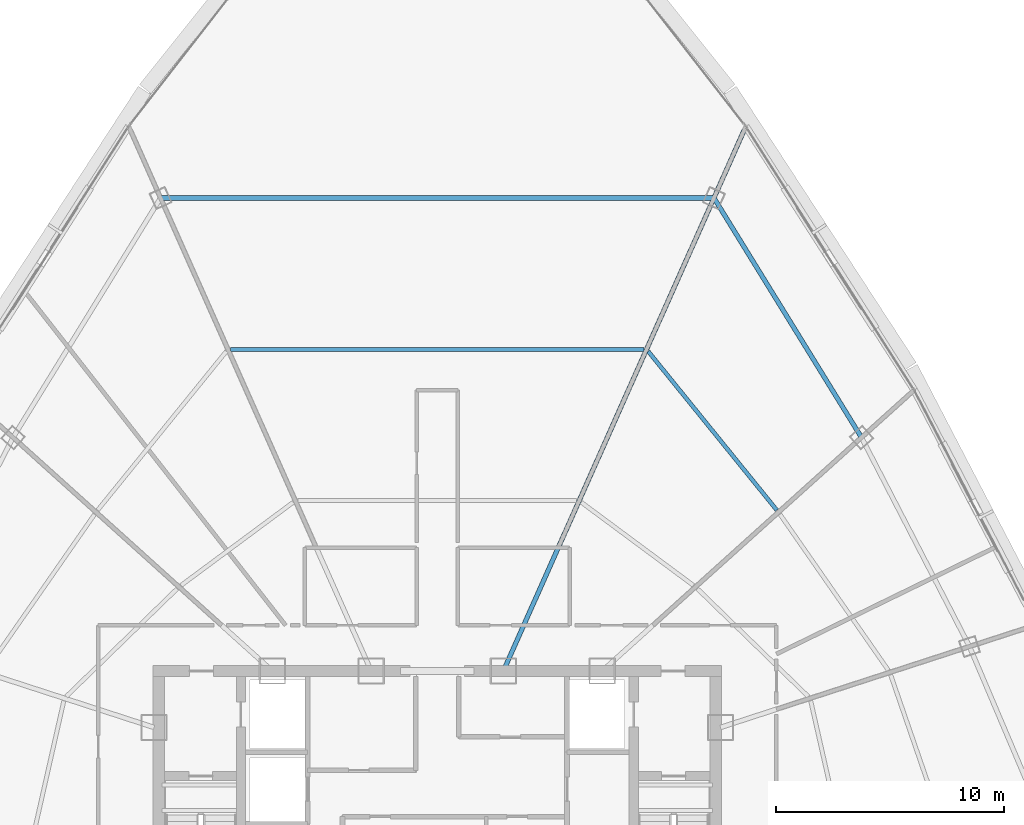
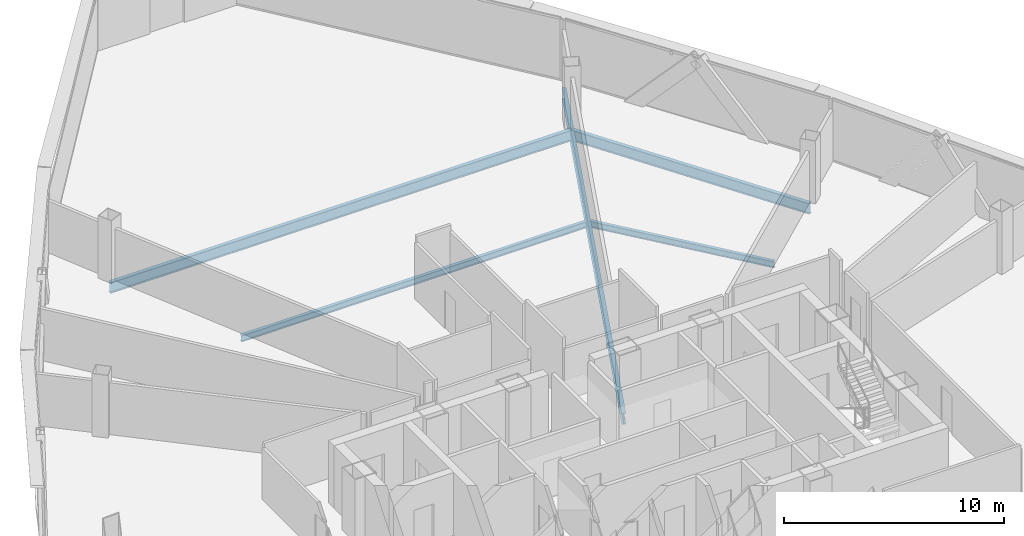
# One storey, part 22 of 37: 5 beams.
"""IFC4 building model written with IfcOpenShell, lengths in metres."""

from ifc_helpers import new_model, si_unit, direction, frame, origin, origin_2d, place, context, subcontext, project, spatial, i_section, extrude, source, transform, mapped, material, material_profile, profile_set, type_object, element, save


model = new_model("IFC4")

# Units and contexts
model_context = context("Model", 3, precision=1e-05, world=origin(), true_north=direction((0.0, 1.0)))
body_context = subcontext(model_context, "Body", "Model", "MODEL_VIEW")
ifc_project = project(units=[si_unit("LENGTHUNIT", "METRE"), si_unit("AREAUNIT", "SQUARE_METRE"), si_unit("VOLUMEUNIT", "CUBIC_METRE"), si_unit("PLANEANGLEUNIT", "RADIAN"), si_unit("MASSUNIT", "GRAM", prefix="KILO"), si_unit("THERMODYNAMICTEMPERATUREUNIT", "KELVIN"), si_unit("POWERUNIT", "WATT")], contexts=[model_context])

# Site, building, storey
site_placement = place(None, origin())
site = spatial("IfcSite", under=ifc_project, at=site_placement, CompositionType="ELEMENT")
building_placement = place(site_placement, origin())
building = spatial("IfcBuilding", under=site, at=building_placement, Name="Yunzhuo Pagoda Commons", CompositionType="ELEMENT")
storey_placement = place(building_placement, frame((0.0, 0.0, 277.56005859375)))
storey = spatial("IfcBuildingStorey", under=building, at=storey_placement, Name="L69", CompositionType="ELEMENT", Elevation=277.56005859375)

# Beams
ifc_material = material(Name="Structural steel Q355B", Category="steel")
ifc_material_profile_1 = material_profile(ifc_material, i_section(OverallWidth=0.199951171875, OverallDepth=0.60009765625, WebThickness=0.010986328125, FlangeThickness=0.01708984375, at=origin_2d()), Name="Structural steel Q355B")
ifc_profile_set_1 = profile_set([ifc_material_profile_1], Name="Structural steel Q355B")
beam_type_1 = type_object("IfcBeamType", Name="B-RG3 Beam HN 600x200x11x17", PredefinedType="BEAM", material=ifc_profile_set_1)
shared_shape_1 = source(origin(), body_context, "Body", "SweptSolid", [
    extrude(i_section(OverallWidth=0.199951171875, OverallDepth=0.60009765625, WebThickness=0.010986328125, FlangeThickness=0.01708984375, at=origin_2d()), origin(), (0.0, 0.0, 1.0), 25.947265625),
])
beam_1_placement = place(storey_placement, frame((61.44775390625, 63.904052734375, -0.56005859375), z_axis=(-0.406735516134, -0.913545959389, 0.0), x_axis=(0.913545959389, -0.406735516134, 0.0)))
element("IfcBeam", 1, at=beam_1_placement, inside=storey, type_object=beam_type_1, Name="L69 radial floor girder F2C4", PredefinedType="BEAM", context=body_context, shape_type="MappedRepresentation", body=[
    mapped(shared_shape_1, transform((0.0, 0.0, 0.0), scale=1.0)),
])
shared_shape_2 = source(origin(), body_context, "Body", "SweptSolid", [
    extrude(i_section(OverallWidth=0.199951171875, OverallDepth=0.60009765625, WebThickness=0.010986328125, FlangeThickness=0.01708984375, at=origin_2d()), origin(), (0.0, 0.0, 1.0), 12.315185546875),
])
beam_2_placement = place(storey_placement, frame((66.5732421875, 50.423583984375, -0.56005859375), z_axis=(-0.524469015689, 0.851429534126, 0.0), x_axis=(-0.851429534126, -0.524469015689, 0.0)))
element("IfcBeam", 2, at=beam_2_placement, inside=storey, type_object=beam_type_1, Name="L69 column-ring beam 7", PredefinedType="BEAM", context=body_context, shape_type="MappedRepresentation", body=[
    mapped(shared_shape_2, transform((0.0, 0.0, 0.0), scale=1.0)),
])
ifc_material_profile_2 = material_profile(ifc_material, i_section(OverallWidth=0.175048828125, OverallDepth=0.35009765625, WebThickness=0.007080078125, FlangeThickness=0.010986328125, at=origin_2d()), Name="Structural steel Q355B")
ifc_profile_set_2 = profile_set([ifc_material_profile_2], Name="Structural steel Q355B")
beam_type_2 = type_object("IfcBeamType", Name="B-JS2 Joist HN 350x175x7x11", PredefinedType="JOIST", material=ifc_profile_set_2)
shared_shape_3 = source(origin(), body_context, "Body", "SweptSolid", [
    extrude(i_section(OverallWidth=0.175048828125, OverallDepth=0.35009765625, WebThickness=0.007080078125, FlangeThickness=0.010986328125, at=origin_2d()), origin(), (0.0, 0.0, 1.0), 8.9462890625),
])
beam_3_placement = place(storey_placement, frame((62.867431640625, 47.2412109375, -0.43505859375), z_axis=(-0.629455685791, 0.777036382434, 0.0), x_axis=(-0.777036382434, -0.629455685791, 0.0)))
element("IfcBeam", 3, at=beam_3_placement, inside=storey, type_object=beam_type_2, Name="L69 composite ring joist 2.7", PredefinedType="JOIST", context=body_context, shape_type="MappedRepresentation", body=[
    mapped(shared_shape_3, transform((0.0, 0.0, 0.0), scale=1.0)),
])
shared_shape_4 = source(origin(), body_context, "Body", "SweptSolid", [
    extrude(i_section(OverallWidth=0.199951171875, OverallDepth=0.60009765625, WebThickness=0.010986328125, FlangeThickness=0.01708984375, at=origin_2d()), origin(), (0.0, 0.0, 1.0), 24.228515625),
])
beam_4_placement = place(storey_placement, frame((60.1142578125, 60.9091796875, -0.56005859375), z_axis=(-1.0, 0.0, 0.0), x_axis=(0.0, -1.0, 0.0)))
element("IfcBeam", 4, at=beam_4_placement, inside=storey, type_object=beam_type_1, Name="L69 column-ring beam 8", PredefinedType="BEAM", context=body_context, shape_type="MappedRepresentation", body=[
    mapped(shared_shape_4, transform((0.0, 0.0, 0.0), scale=1.0)),
])
shared_shape_5 = source(origin(), body_context, "Body", "SweptSolid", [
    extrude(i_section(OverallWidth=0.175048828125, OverallDepth=0.35009765625, WebThickness=0.007080078125, FlangeThickness=0.010986328125, at=origin_2d()), origin(), (0.0, 0.0, 1.0), 18.09765625),
])
beam_5_placement = place(storey_placement, frame((57.048828125, 54.2822265625, -0.43505859375), z_axis=(-1.0, 0.0, 0.0), x_axis=(0.0, -1.0, 0.0)))
element("IfcBeam", 5, at=beam_5_placement, inside=storey, type_object=beam_type_2, Name="L69 composite ring joist 2.8", PredefinedType="JOIST", context=body_context, shape_type="MappedRepresentation", body=[
    mapped(shared_shape_5, transform((0.0, 0.0, 0.0), scale=1.0)),
])

save(model, "model.ifc")
